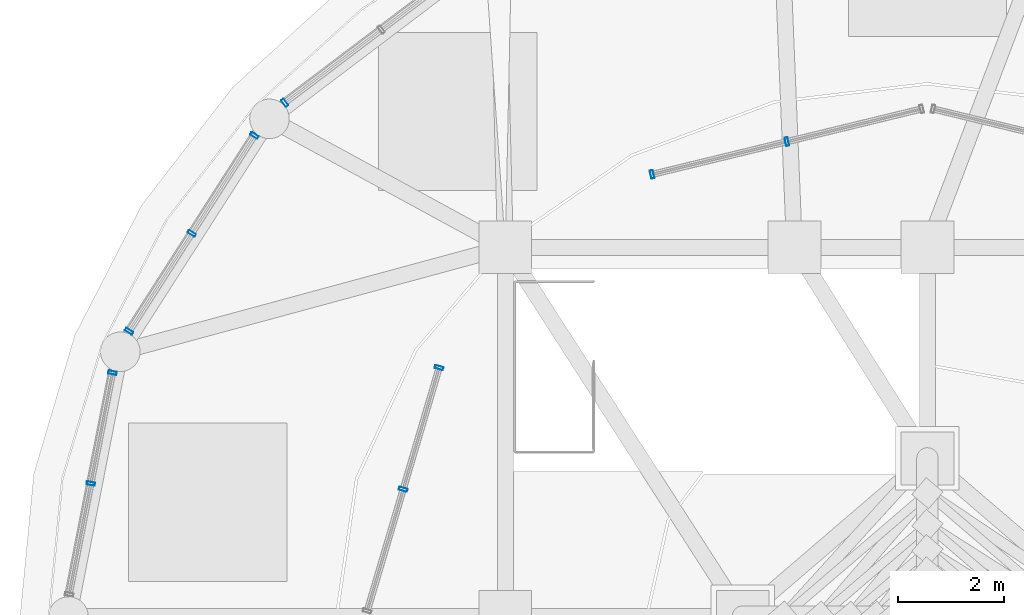
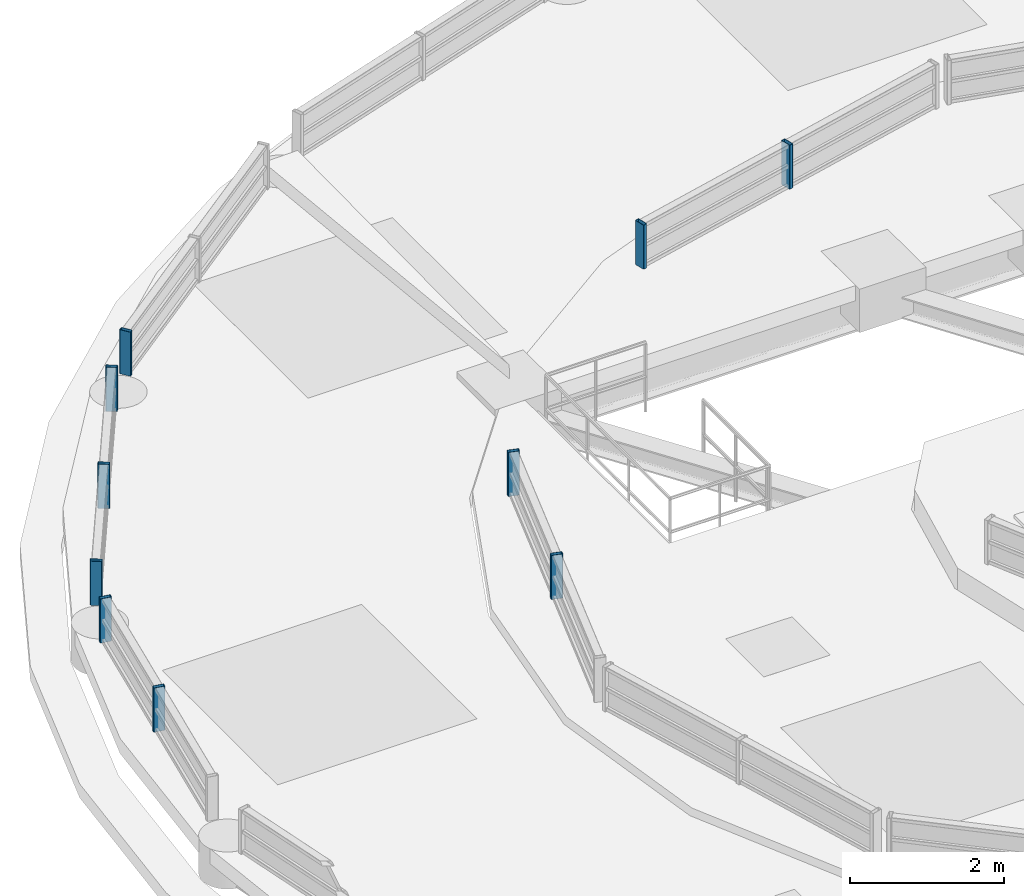
# One storey, part 13 of 21: 10 members, 5 elements without a shape of their own.
"""IFC4 building model written with IfcOpenShell, lengths in metres."""

from ifc_helpers import new_model, si_unit, direction, frame, origin, origin_2d, place, context, subcontext, project, spatial, hollow_rectangle, extrude, material, layer, layer_set, material_profile, profile_set, type_object, element, aggregate, save


model = new_model("IFC4")

# Units and contexts
model_context = context("Model", 3, precision=1e-05, world=origin(), true_north=direction((0.0, 1.0)))
body_context = subcontext(model_context, "Body", "Model", "MODEL_VIEW")
ifc_project = project(units=[si_unit("LENGTHUNIT", "METRE"), si_unit("AREAUNIT", "SQUARE_METRE"), si_unit("VOLUMEUNIT", "CUBIC_METRE"), si_unit("PLANEANGLEUNIT", "RADIAN"), si_unit("MASSUNIT", "GRAM", prefix="KILO")], contexts=[model_context])

# Site, building, storey
site_placement = place(None, origin())
site = spatial("IfcSite", under=ifc_project, at=site_placement, CompositionType="ELEMENT")
building_placement = place(site_placement, origin())
building = spatial("IfcBuilding", under=site, at=building_placement, Name="Kelanora Arch Commons", CompositionType="ELEMENT")
storey_placement = place(building_placement, frame((0.0, 0.0, 311.10009765625)))
storey = spatial("IfcBuildingStorey", under=building, at=storey_placement, Name="RF", CompositionType="ELEMENT", Elevation=311.10009765625)

# Curtain wall, member
ifc_material_1 = material(Name="Terracotta ceramic-fritted low-E glass and aluminium", Category="masonry")
ifc_layer = layer(ifc_material_1, 0.14990234375)
ifc_layer_set = layer_set([ifc_layer], Name="Terracotta ceramic-fritted low-E glass and aluminium")
curtain_wall_type = type_object("IfcCurtainWallType", Name="CW-SYS-06", PredefinedType="NOTDEFINED", material=ifc_layer_set)
curtain_wall_1_placement = place(storey_placement, origin())
curtain_wall_1 = element("IfcCurtainWall", 1, at=curtain_wall_1_placement, inside=storey, type_object=curtain_wall_type, Name="Sloped Glass Crown Lantern T1-07", PredefinedType="NOTDEFINED")
ifc_material_2 = material(Name="Powder-coated aluminium terracotta", Category="masonry")
ifc_material_profile = material_profile(ifc_material_2, hollow_rectangle(XDim=0.159912109375, YDim=0.06005859375, WallThickness=0.0048828125, InnerFilletRadius=0.0048828125, OuterFilletRadius=0.010009765625, at=origin_2d()), Name="CWM160x60")
ifc_profile_set = profile_set([ifc_material_profile], Name="Powder-coated aluminium terracotta")
member_type = type_object("IfcMemberType", Name="CWM-STD", PredefinedType="MULLION", material=ifc_profile_set)
member_1_placement = place(storey_placement, frame((61.818115234375, 67.74072265625, 0.58984375), z_axis=(0.0, 0.0, 1.0), x_axis=(0.603568166432, -0.797311399937, 0.0)))
member_1 = element("IfcMember", 2, at=member_1_placement, type_object=member_type, Name="CW-06 mullion 3", PredefinedType="MULLION", context=body_context, shape_type="SweptSolid", body=[
    extrude(hollow_rectangle(XDim=0.159912109375, YDim=0.06005859375, WallThickness=0.0048828125, InnerFilletRadius=0.0048828125, OuterFilletRadius=0.010009765625, at=origin_2d()), origin(), (0.0, 0.0, 1.0), 0.699951171875),
])
aggregate(curtain_wall_1, [member_1])

# Curtain wall, members
curtain_wall_2_placement = place(storey_placement, origin())
curtain_wall_2 = element("IfcCurtainWall", 3, at=curtain_wall_2_placement, inside=storey, type_object=curtain_wall_type, Name="Sloped Glass Crown Lantern T1-08", PredefinedType="NOTDEFINED")
member_2_placement = place(storey_placement, frame((61.243408203125, 67.118896484375, 0.58984375), z_axis=(0.0, 0.0, 1.0), x_axis=(0.842271400663, -0.539053696421, 0.0)))
member_2 = element("IfcMember", 4, at=member_2_placement, type_object=member_type, Name="CW-06 mullion 1", PredefinedType="MULLION", context=body_context, shape_type="SweptSolid", body=[
    extrude(hollow_rectangle(XDim=0.159912109375, YDim=0.06005859375, WallThickness=0.0048828125, InnerFilletRadius=0.0048828125, OuterFilletRadius=0.010009765625, at=origin_2d()), origin(), (0.0, 0.0, 1.0), 0.699951171875),
])
member_3_placement = place(storey_placement, frame((60.0556640625, 65.262939453125, 0.58984375), z_axis=(0.0, 0.0, 1.0), x_axis=(0.842271400663, -0.539053696421, 0.0)))
member_3 = element("IfcMember", 5, at=member_3_placement, type_object=member_type, Name="CW-06 mullion 2", PredefinedType="MULLION", context=body_context, shape_type="SweptSolid", body=[
    extrude(hollow_rectangle(XDim=0.159912109375, YDim=0.06005859375, WallThickness=0.0048828125, InnerFilletRadius=0.0048828125, OuterFilletRadius=0.010009765625, at=origin_2d()), origin(), (0.0, 0.0, 1.0), 0.699951171875),
])
member_4_placement = place(storey_placement, frame((58.86767578125, 63.406982421875, 0.58984375), z_axis=(0.0, 0.0, 1.0), x_axis=(0.842271400663, -0.539053696421, 0.0)))
member_4 = element("IfcMember", 6, at=member_4_placement, type_object=member_type, Name="CW-06 mullion 3", PredefinedType="MULLION", context=body_context, shape_type="SweptSolid", body=[
    extrude(hollow_rectangle(XDim=0.159912109375, YDim=0.06005859375, WallThickness=0.0048828125, InnerFilletRadius=0.0048828125, OuterFilletRadius=0.010009765625, at=origin_2d()), origin(), (0.0, 0.0, 1.0), 0.699951171875),
])
aggregate(curtain_wall_2, [member_2, member_3, member_4])

curtain_wall_3_placement = place(storey_placement, origin())
curtain_wall_3 = element("IfcCurtainWall", 7, at=curtain_wall_3_placement, inside=storey, type_object=curtain_wall_type, Name="Sloped Glass Crown Lantern T1-09", PredefinedType="NOTDEFINED")
member_5_placement = place(storey_placement, frame((58.553466796875, 62.622802734375, 0.58984375), z_axis=(0.0, 0.0, 1.0), x_axis=(0.98142737239, -0.191834076021, 0.0)))
member_5 = element("IfcMember", 8, at=member_5_placement, type_object=member_type, Name="CW-06 mullion 1", PredefinedType="MULLION", context=body_context, shape_type="SweptSolid", body=[
    extrude(hollow_rectangle(XDim=0.159912109375, YDim=0.06005859375, WallThickness=0.0048828125, InnerFilletRadius=0.0048828125, OuterFilletRadius=0.010009765625, at=origin_2d()), origin(), (0.0, 0.0, 1.0), 0.699951171875),
])
member_6_placement = place(storey_placement, frame((58.14306640625, 60.5224609375, 0.58984375), z_axis=(0.0, 0.0, 1.0), x_axis=(0.98142737239, -0.191834076021, 0.0)))
member_6 = element("IfcMember", 9, at=member_6_placement, type_object=member_type, Name="CW-06 mullion 2", PredefinedType="MULLION", context=body_context, shape_type="SweptSolid", body=[
    extrude(hollow_rectangle(XDim=0.159912109375, YDim=0.06005859375, WallThickness=0.0048828125, InnerFilletRadius=0.0048828125, OuterFilletRadius=0.010009765625, at=origin_2d()), origin(), (0.0, 0.0, 1.0), 0.699951171875),
])
aggregate(curtain_wall_3, [member_5, member_6])

curtain_wall_4_placement = place(storey_placement, origin())
curtain_wall_4 = element("IfcCurtainWall", 10, at=curtain_wall_4_placement, inside=storey, type_object=curtain_wall_type, Name="Sloped Glass Crown Lantern T2-04", PredefinedType="NOTDEFINED")
member_7_placement = place(storey_placement, frame((71.33740234375, 67.003662109375, 0.68994140625), z_axis=(0.0, 0.0, 1.0), x_axis=(0.235930888692, -0.971769836824, 0.0)))
member_7 = element("IfcMember", 11, at=member_7_placement, type_object=member_type, Name="CW-06 mullion 2", PredefinedType="MULLION", context=body_context, shape_type="SweptSolid", body=[
    extrude(hollow_rectangle(XDim=0.159912109375, YDim=0.06005859375, WallThickness=0.0048828125, InnerFilletRadius=0.0048828125, OuterFilletRadius=0.010009765625, at=origin_2d()), origin(), (0.0, 0.0, 1.0), 0.699951171875),
])
member_8_placement = place(storey_placement, frame((68.78173828125, 66.383056640625, 0.68994140625), z_axis=(0.0, 0.0, 1.0), x_axis=(0.235930888692, -0.971769836824, 0.0)))
member_8 = element("IfcMember", 12, at=member_8_placement, type_object=member_type, Name="CW-06 mullion 3", PredefinedType="MULLION", context=body_context, shape_type="SweptSolid", body=[
    extrude(hollow_rectangle(XDim=0.159912109375, YDim=0.06005859375, WallThickness=0.0048828125, InnerFilletRadius=0.0048828125, OuterFilletRadius=0.010009765625, at=origin_2d()), origin(), (0.0, 0.0, 1.0), 0.699951171875),
])
aggregate(curtain_wall_4, [member_7, member_8])

curtain_wall_5_placement = place(storey_placement, origin())
curtain_wall_5 = element("IfcCurtainWall", 13, at=curtain_wall_5_placement, inside=storey, type_object=curtain_wall_type, Name="Sloped Glass Crown Lantern T2-06", PredefinedType="NOTDEFINED")
member_9_placement = place(storey_placement, frame((64.74560546875, 62.719482421875, 0.68994140625), z_axis=(0.0, 0.0, 1.0), x_axis=(0.958953283156, -0.283564103379, 0.0)))
member_9 = element("IfcMember", 14, at=member_9_placement, type_object=member_type, Name="CW-06 mullion 1", PredefinedType="MULLION", context=body_context, shape_type="SweptSolid", body=[
    extrude(hollow_rectangle(XDim=0.159912109375, YDim=0.06005859375, WallThickness=0.0048828125, InnerFilletRadius=0.0048828125, OuterFilletRadius=0.010009765625, at=origin_2d()), origin(), (0.0, 0.0, 1.0), 0.699951171875),
])
member_10_placement = place(storey_placement, frame((64.0634765625, 60.41259765625, 0.68994140625), z_axis=(0.0, 0.0, 1.0), x_axis=(0.958953283156, -0.283564103379, 0.0)))
member_10 = element("IfcMember", 15, at=member_10_placement, type_object=member_type, Name="CW-06 mullion 2", PredefinedType="MULLION", context=body_context, shape_type="SweptSolid", body=[
    extrude(hollow_rectangle(XDim=0.159912109375, YDim=0.06005859375, WallThickness=0.0048828125, InnerFilletRadius=0.0048828125, OuterFilletRadius=0.010009765625, at=origin_2d()), origin(), (0.0, 0.0, 1.0), 0.699951171875),
])
aggregate(curtain_wall_5, [member_9, member_10])

save(model, "model.ifc")
